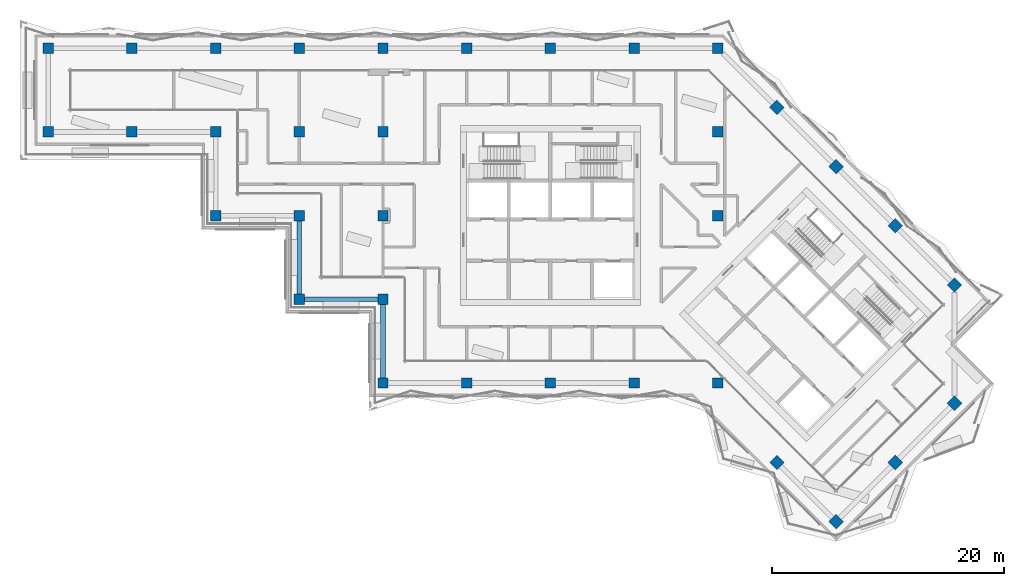
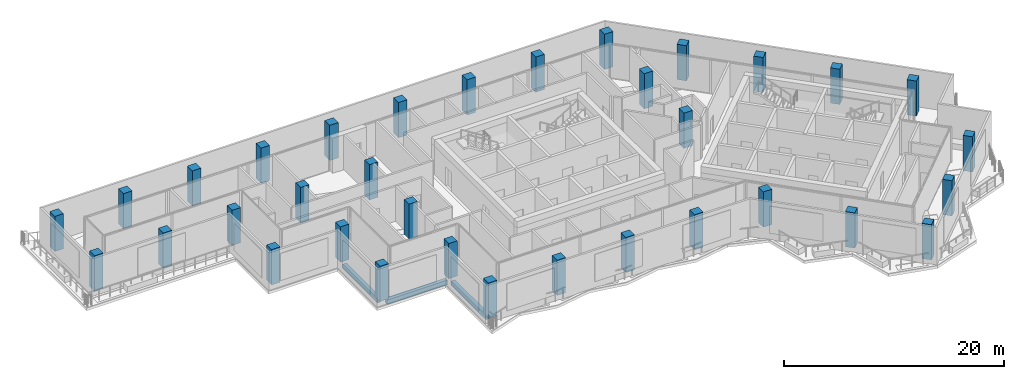
# One storey, part 1 of 19: 34 columns, 3 beams.
"""IFC4 building model written with IfcOpenShell, lengths in metres."""

from ifc_helpers import new_model, si_unit, direction, frame, origin, origin_2d, place, context, subcontext, project, spatial, rectangle, extrude, material, material_profile, profile_set, type_object, element, save


model = new_model("IFC4")

# Units and contexts
model_context = context("Model", 3, precision=1e-05, world=origin(), true_north=direction((0.0, 1.0)))
body_context = subcontext(model_context, "Body", "Model", "MODEL_VIEW")
ifc_project = project(units=[si_unit("LENGTHUNIT", "METRE"), si_unit("AREAUNIT", "SQUARE_METRE"), si_unit("VOLUMEUNIT", "CUBIC_METRE"), si_unit("PLANEANGLEUNIT", "RADIAN"), si_unit("MASSUNIT", "GRAM", prefix="KILO")], contexts=[model_context])

# Site, building, storey
site_placement = place(None, origin())
site = spatial("IfcSite", under=ifc_project, at=site_placement, CompositionType="ELEMENT")
building_placement = place(site_placement, origin())
building = spatial("IfcBuilding", under=site, at=building_placement, Name="Windrow Commons", CompositionType="ELEMENT")
storey_placement = place(building_placement, frame((0.0, 0.0, 176.2)))
storey = spatial("IfcBuildingStorey", under=building, at=storey_placement, Name="L48", CompositionType="ELEMENT", Elevation=176.2)

# Columns
ifc_material_1 = material(Name="Concrete C50/60", Category="concrete")
ifc_material_profile_1 = material_profile(ifc_material_1, rectangle(XDim=0.9, YDim=0.9, at=origin_2d()))
ifc_profile_set_1 = profile_set([ifc_material_profile_1], Name="Concrete C50/60")
column_type = type_object("IfcColumnType", Name="RC COLUMN 900x900 C50/60", PredefinedType="COLUMN", material=ifc_profile_set_1)
for number, where, z_axis, x_axis, name in (
    (1, (21.6, 64.8, 0.0), (0.0, 0.0, 1.0), (1.0, 0.0, 0.0), "C-SG3-04I"),
    (2, (21.6, 72.0, 0.0), (0.0, 0.0, 1.0), (1.0, 0.0, 0.0), "C-SG3-04J"),
    (3, (28.8, 64.8, 0.0), (0.0, 0.0, 1.0), (1.0, 0.0, 0.0), "C-SG3-05I"),
    (4, (28.8, 72.0, 0.0), (0.0, 0.0, 1.0), (1.0, 0.0, 0.0), "C-SG3-05J"),
    (5, (36.0, 57.6, 0.0), (0.0, 0.0, 1.0), (1.0, 0.0, 0.0), "C-SG3-06H"),
    (6, (36.0, 64.8, 0.0), (0.0, 0.0, 1.0), (1.0, 0.0, 0.0), "C-SG3-06I"),
    (7, (36.0, 72.0, 0.0), (0.0, 0.0, 1.0), (1.0, 0.0, 0.0), "C-SG3-06J"),
    (8, (43.2, 50.4, 0.0), (0.0, 0.0, 1.0), (1.0, 0.0, 0.0), "C-SG3-07G"),
    (9, (43.2, 57.6, 0.0), (0.0, 0.0, 1.0), (1.0, 0.0, 0.0), "C-SG3-07H"),
    (10, (43.2, 64.8, 0.0), (0.0, 0.0, 1.0), (1.0, 0.0, 0.0), "C-SG3-07I"),
    (11, (43.2, 72.0, 0.0), (0.0, 0.0, 1.0), (1.0, 0.0, 0.0), "C-SG3-07J"),
    (12, (50.4, 43.2, 0.0), (0.0, 0.0, 1.0), (1.0, 0.0, 0.0), "C-SG3-08F"),
    (13, (50.4, 50.4, 0.0), (0.0, 0.0, 1.0), (1.0, 0.0, 0.0), "C-SG3-08G"),
    (14, (50.4, 57.6, 0.0), (0.0, 0.0, 1.0), (1.0, 0.0, 0.0), "C-SG3-08H"),
    (15, (50.4, 64.8, 0.0), (0.0, 0.0, 1.0), (1.0, 0.0, 0.0), "C-SG3-08I"),
    (16, (50.4, 72.0, 0.0), (0.0, 0.0, 1.0), (1.0, 0.0, 0.0), "C-SG3-08J"),
    (17, (57.6, 43.2, 0.0), (0.0, 0.0, 1.0), (1.0, 0.0, 0.0), "C-SG3-09F"),
    (18, (57.6, 72.0, 0.0), (0.0, 0.0, 1.0), (1.0, 0.0, 0.0), "C-SG3-09J"),
    (19, (64.8, 43.2, 0.0), (0.0, 0.0, 1.0), (1.0, 0.0, 0.0), "C-SG3-10F"),
    (20, (64.8, 72.0, 0.0), (0.0, 0.0, 1.0), (1.0, 0.0, 0.0), "C-SG3-10J"),
    (21, (72.0, 43.2, 0.0), (0.0, 0.0, 1.0), (1.0, 0.0, 0.0), "C-SG3-11F"),
    (22, (72.0, 72.0, 0.0), (0.0, 0.0, 1.0), (1.0, 0.0, 0.0), "C-SG3-11J"),
    (23, (79.2, 43.2, 0.0), (0.0, 0.0, 1.0), (1.0, 0.0, 0.0), "C-SG3-12F"),
    (24, (79.2, 57.6, 0.0), (0.0, 0.0, 1.0), (1.0, 0.0, 0.0), "C-SG3-12H"),
    (25, (79.2, 64.8, 0.0), (0.0, 0.0, 1.0), (1.0, 0.0, 0.0), "C-SG3-12I"),
    (26, (79.2, 72.0, 0.0), (0.0, 0.0, 1.0), (1.0, 0.0, 0.0), "C-SG3-12J"),
    (27, (84.2912, 66.9088, 0.0), (0.0, 0.0, 1.0), (0.7071067812, -0.7071067812, 0.0), "C-SG3-P2Q"),
    (28, (89.3823, 61.8177, 0.0), (0.0, 0.0, 1.0), (0.7071067812, -0.7071067812, 0.0), "C-SG3-P3Q"),
    (29, (94.4735, 56.7265, 0.0), (0.0, 0.0, 1.0), (0.7071067812, -0.7071067812, 0.0), "C-SG3-P4Q"),
    (30, (99.5647, 51.6353, 0.0), (0.0, 0.0, 1.0), (0.7071067812, -0.7071067812, 0.0), "C-SG3-P5Q"),
    (31, (84.2912, 36.3618, 0.0), (0.0, 0.0, 1.0), (0.7071067812, -0.7071067812, 0.0), "C-SG3-P5T"),
    (32, (99.5647, 41.453, 0.0), (0.0, 0.0, 1.0), (0.7071067812, -0.7071067812, 0.0), "C-SG3-P6R"),
    (33, (94.4735, 36.3618, 0.0), (0.0, 0.0, 1.0), (0.7071067812, -0.7071067812, 0.0), "C-SG3-P6S"),
    (34, (89.3823, 31.2706, 0.0), (0.0, 0.0, 1.0), (0.7071067812, -0.7071067812, 0.0), "C-SG3-P6T"),
):
    element("IfcColumn", number, at=place(storey_placement, frame(where, z_axis=z_axis, x_axis=x_axis)), inside=storey, type_object=column_type, Name=name, PredefinedType="COLUMN", context=body_context, shape_type="SweptSolid", body=[
        extrude(rectangle(XDim=0.9, YDim=0.9, at=origin_2d()), origin(), (0.0, 0.0, 1.0), 3.9),
    ])

# Beams
ifc_material_2 = material(Name="Concrete C50/60", Category="concrete")
ifc_material_profile_2 = material_profile(ifc_material_2, rectangle(XDim=0.4, YDim=0.5, at=origin_2d()))
ifc_profile_set_2 = profile_set([ifc_material_profile_2], Name="Concrete C50/60")
beam_type = type_object("IfcBeamType", Name="RC EDGE BEAM 400x500 C50/60", PredefinedType="SPANDREL", material=ifc_profile_set_2)
for number, where, z_axis, x_axis, name in (
    (35, (50.4, 43.65, -0.55), (0.0, 1.0, 0.0), (-1.0, 0.0, 0.0), "Edge beam L48 002"),
    (36, (49.95, 50.4, -0.55), (-1.0, 0.0, 0.0), (0.0, -1.0, 0.0), "Edge beam L48 003"),
    (37, (43.2, 50.85, -0.55), (0.0, 1.0, 0.0), (-1.0, 0.0, 0.0), "Edge beam L48 004"),
):
    element("IfcBeam", number, at=place(storey_placement, frame(where, z_axis=z_axis, x_axis=x_axis)), inside=storey, type_object=beam_type, Name=name, PredefinedType="SPANDREL", context=body_context, shape_type="SweptSolid", body=[
        extrude(rectangle(XDim=0.4, YDim=0.5, at=origin_2d()), origin(), (0.0, 0.0, 1.0), 6.3),
    ])

save(model, "model.ifc")
